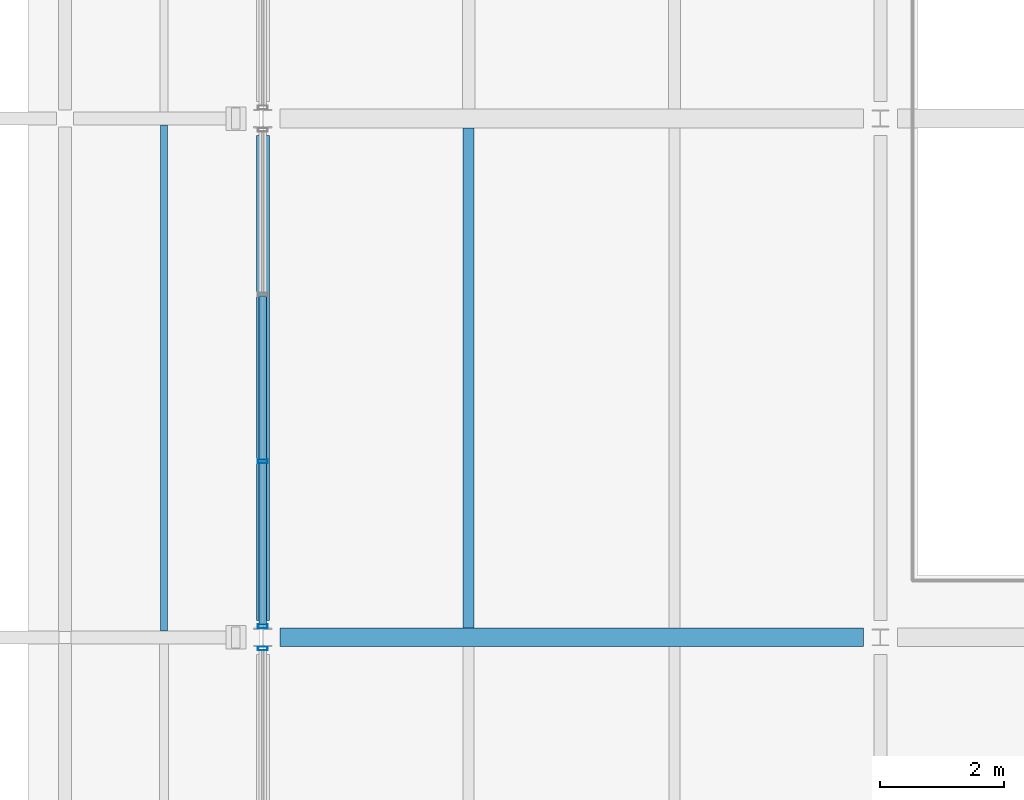
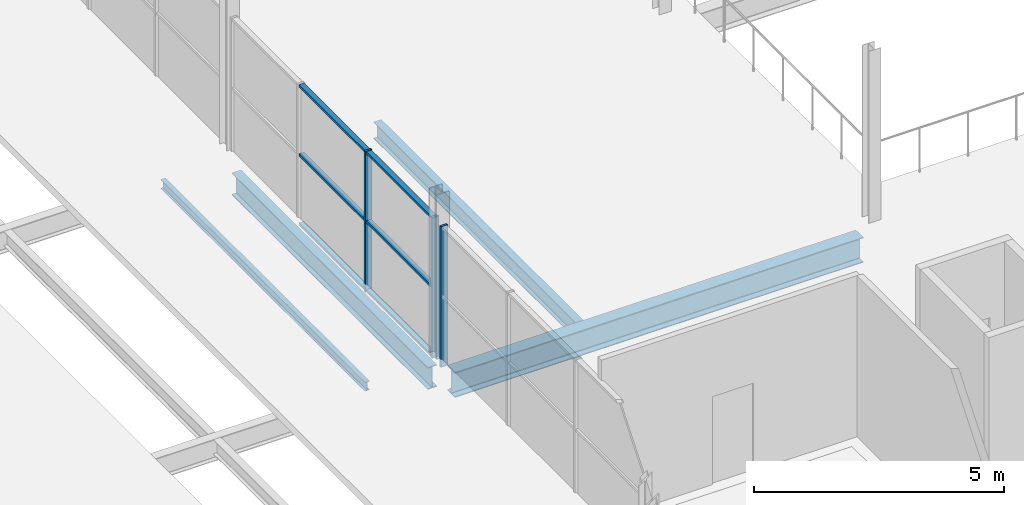
# One storey, part 97 of 161: 9 members, 4 beams, 2 elements without a shape of their own.
"""IFC4 building model written with IfcOpenShell, lengths in metres."""

from ifc_helpers import new_model, si_unit, direction, frame, origin, origin_2d, place, context, subcontext, project, spatial, hollow_rectangle, i_section, extrude, material, material_profile, profile_set, type_object, element, aggregate, save


model = new_model("IFC4")

# Units and contexts
model_context = context("Model", 3, precision=1e-05, world=origin(), true_north=direction((0.0, 1.0)))
body_context = subcontext(model_context, "Body", "Model", "MODEL_VIEW")
ifc_project = project(units=[si_unit("LENGTHUNIT", "METRE"), si_unit("AREAUNIT", "SQUARE_METRE"), si_unit("VOLUMEUNIT", "CUBIC_METRE"), si_unit("PLANEANGLEUNIT", "RADIAN"), si_unit("MASSUNIT", "GRAM", prefix="KILO"), si_unit("THERMODYNAMICTEMPERATUREUNIT", "KELVIN")], contexts=[model_context])

# Site, building, storey
site_placement = place(None, origin())
site = spatial("IfcSite", under=ifc_project, at=site_placement, CompositionType="ELEMENT")
building_placement = place(site_placement, origin())
building = spatial("IfcBuilding", under=site, at=building_placement, Name="Nduvali Passage Aquatics Centre", CompositionType="ELEMENT")
storey_placement = place(building_placement, frame((0.0, 0.0, 4.800048828125)))
storey = spatial("IfcBuildingStorey", under=building, at=storey_placement, Name="L01", CompositionType="ELEMENT", Elevation=4.800048828125)

# Curtain wall, member
ifc_material_1 = material(Name="Aluminium EN AW-6063 T6", Category="aluminium")
curtain_wall_type = type_object("IfcCurtainWallType", Name="ENV-CW-FOYR", PredefinedType="NOTDEFINED", material=ifc_material_1)
curtain_wall_1_placement = place(storey_placement, origin())
curtain_wall_1 = element("IfcCurtainWall", 1, at=curtain_wall_1_placement, inside=storey, type_object=curtain_wall_type, Name="L01 Passage Foyer Upper CW 070", PredefinedType="NOTDEFINED")
ifc_material_profile_1 = material_profile(ifc_material_1, hollow_rectangle(XDim=0.06005859375, YDim=0.159912109375, WallThickness=0.00390625, at=origin_2d()), Name="ALU MULLION 60x160x4")
ifc_profile_set_1 = profile_set([ifc_material_profile_1], Name="Aluminium EN AW-6063 T6")
member_type_1 = type_object("IfcMemberType", Name="ENV-MEM-MUL60", PredefinedType="MULLION", material=ifc_profile_set_1)
member_1_placement = place(storey_placement, frame((138.0, 41.820068359375, 0.0), z_axis=(0.0, 0.0, 1.0), x_axis=(0.0, 1.0, 0.0)))
member_1 = element("IfcMember", 2, at=member_1_placement, type_object=member_type_1, Name="Passage Foyer Upper CW Mullion 4", PredefinedType="MULLION", context=body_context, shape_type="SweptSolid", body=[
    extrude(hollow_rectangle(XDim=0.06005859375, YDim=0.159912109375, WallThickness=0.00390625, at=origin_2d()), origin(), (0.0, 0.0, 1.0), 3.436279296875),
])
aggregate(curtain_wall_1, [member_1])

# Curtain wall, members
curtain_wall_2_placement = place(storey_placement, origin())
curtain_wall_2 = element("IfcCurtainWall", 3, at=curtain_wall_2_placement, inside=storey, type_object=curtain_wall_type, Name="L01 Passage Foyer Upper CW 072", PredefinedType="NOTDEFINED")
member_2_placement = place(storey_placement, frame((138.0, 42.179931640625, 0.0), z_axis=(0.0, 0.0, 1.0), x_axis=(0.0, 1.0, 0.0)))
member_2 = element("IfcMember", 4, at=member_2_placement, type_object=member_type_1, Name="Passage Foyer Upper CW Mullion 1", PredefinedType="MULLION", context=body_context, shape_type="SweptSolid", body=[
    extrude(hollow_rectangle(XDim=0.06005859375, YDim=0.159912109375, WallThickness=0.00390625, at=origin_2d()), origin(), (0.0, 0.0, 1.0), 3.436279296875),
])
member_3_placement = place(storey_placement, frame((138.0, 44.85009765625, 0.0), z_axis=(0.0, 0.0, 1.0), x_axis=(0.0, 1.0, 0.0)))
member_3 = element("IfcMember", 5, at=member_3_placement, type_object=member_type_1, Name="Passage Foyer Upper CW Mullion 2", PredefinedType="MULLION", context=body_context, shape_type="SweptSolid", body=[
    extrude(hollow_rectangle(XDim=0.06005859375, YDim=0.159912109375, WallThickness=0.00390625, at=origin_2d()), origin(), (0.0, 0.0, 1.0), 3.436279296875),
])
ifc_material_profile_2 = material_profile(ifc_material_1, hollow_rectangle(XDim=0.1201171875, YDim=0.06005859375, WallThickness=0.00390625, at=origin_2d()), Name="ALU TRANSOM 120x60x4")
ifc_profile_set_2 = profile_set([ifc_material_profile_2], Name="Aluminium EN AW-6063 T6")
member_type_2 = type_object("IfcMemberType", Name="ENV-MEM-TRN60", PredefinedType="USERDEFINED", material=ifc_profile_set_2)
member_4_placement = place(storey_placement, frame((138.0, 42.2099609375, 0.030029296875), z_axis=(0.0, 1.0, 0.0), x_axis=(-1.0, 0.0, 0.0)))
member_4 = element("IfcMember", 6, at=member_4_placement, type_object=member_type_2, Name="Passage Foyer Upper CW Transom B1-R0", ObjectType="TRANSOM", PredefinedType="USERDEFINED", context=body_context, shape_type="SweptSolid", body=[
    extrude(hollow_rectangle(XDim=0.1201171875, YDim=0.06005859375, WallThickness=0.00390625, at=origin_2d()), origin(), (0.0, 0.0, 1.0), 2.610107421875),
])
member_5_placement = place(storey_placement, frame((138.0, 42.2099609375, 1.71826171875), z_axis=(0.0, 1.0, 0.0), x_axis=(-1.0, 0.0, 0.0)))
member_5 = element("IfcMember", 7, at=member_5_placement, type_object=member_type_2, Name="Passage Foyer Upper CW Transom B1-R1", ObjectType="TRANSOM", PredefinedType="USERDEFINED", context=body_context, shape_type="SweptSolid", body=[
    extrude(hollow_rectangle(XDim=0.1201171875, YDim=0.06005859375, WallThickness=0.00390625, at=origin_2d()), origin(), (0.0, 0.0, 1.0), 2.610107421875),
])
member_6_placement = place(storey_placement, frame((138.0, 42.2099609375, 3.40625), z_axis=(0.0, 1.0, 0.0), x_axis=(-1.0, 0.0, 0.0)))
member_6 = element("IfcMember", 8, at=member_6_placement, type_object=member_type_2, Name="Passage Foyer Upper CW Transom B1-R2", ObjectType="TRANSOM", PredefinedType="USERDEFINED", context=body_context, shape_type="SweptSolid", body=[
    extrude(hollow_rectangle(XDim=0.1201171875, YDim=0.06005859375, WallThickness=0.00390625, at=origin_2d()), origin(), (0.0, 0.0, 1.0), 2.610107421875),
])
member_7_placement = place(storey_placement, frame((138.0, 44.8798828125, 0.030029296875), z_axis=(0.0, 1.0, 0.0), x_axis=(-1.0, 0.0, 0.0)))
member_7 = element("IfcMember", 9, at=member_7_placement, type_object=member_type_2, Name="Passage Foyer Upper CW Transom B2-R0", ObjectType="TRANSOM", PredefinedType="USERDEFINED", context=body_context, shape_type="SweptSolid", body=[
    extrude(hollow_rectangle(XDim=0.1201171875, YDim=0.06005859375, WallThickness=0.00390625, at=origin_2d()), origin(), (0.0, 0.0, 1.0), 2.64013671875),
])
member_8_placement = place(storey_placement, frame((138.0, 44.8798828125, 1.71826171875), z_axis=(0.0, 1.0, 0.0), x_axis=(-1.0, 0.0, 0.0)))
member_8 = element("IfcMember", 10, at=member_8_placement, type_object=member_type_2, Name="Passage Foyer Upper CW Transom B2-R1", ObjectType="TRANSOM", PredefinedType="USERDEFINED", context=body_context, shape_type="SweptSolid", body=[
    extrude(hollow_rectangle(XDim=0.1201171875, YDim=0.06005859375, WallThickness=0.00390625, at=origin_2d()), origin(), (0.0, 0.0, 1.0), 2.64013671875),
])
member_9_placement = place(storey_placement, frame((138.0, 44.8798828125, 3.40625), z_axis=(0.0, 1.0, 0.0), x_axis=(-1.0, 0.0, 0.0)))
member_9 = element("IfcMember", 11, at=member_9_placement, type_object=member_type_2, Name="Passage Foyer Upper CW Transom B2-R2", ObjectType="TRANSOM", PredefinedType="USERDEFINED", context=body_context, shape_type="SweptSolid", body=[
    extrude(hollow_rectangle(XDim=0.1201171875, YDim=0.06005859375, WallThickness=0.00390625, at=origin_2d()), origin(), (0.0, 0.0, 1.0), 2.64013671875),
])
aggregate(curtain_wall_2, [member_2, member_3, member_4, member_5, member_6, member_7, member_8, member_9])

# Beams
ifc_material_2 = material(Name="Steel S355", Category="steel")
ifc_material_profile_3 = material_profile(ifc_material_2, i_section(OverallWidth=0.210693359375, OverallDepth=0.53955078125, WebThickness=0.01171875, FlangeThickness=0.018798828125, FilletRadius=0.0126953125, at=origin_2d()), Name="UKB 533x210x109")
ifc_profile_set_3 = profile_set([ifc_material_profile_3], Name="Steel S355")
beam_type_1 = type_object("IfcBeamType", Name="STR-BM-UKB533-EXT", PredefinedType="BEAM", material=ifc_profile_set_3)
beam_1_placement = place(storey_placement, frame((138.0, 42.27490234375, -0.553955078125), z_axis=(0.0, 1.0, 0.0), x_axis=(-1.0, 0.0, 0.0)))
element("IfcBeam", 12, at=beam_1_placement, inside=storey, type_object=beam_type_1, Name="L01 Primary Y-Girder B6E-0660", PredefinedType="BEAM", context=body_context, shape_type="SweptSolid", body=[
    extrude(i_section(OverallWidth=0.210693359375, OverallDepth=0.53955078125, WebThickness=0.01171875, FlangeThickness=0.018798828125, FilletRadius=0.0126953125, at=origin_2d()), origin(), (0.0, 0.0, 1.0), 7.85009765625),
])
ifc_material_profile_4 = material_profile(ifc_material_2, i_section(OverallWidth=0.3046875, OverallDepth=0.6123046875, WebThickness=0.01171875, FlangeThickness=0.019775390625, FilletRadius=0.0166015625, at=origin_2d()), Name="UKB 610x305x149")
ifc_profile_set_4 = profile_set([ifc_material_profile_4], Name="Steel S355")
beam_type_2 = type_object("IfcBeamType", Name="STR-BM-UKB610W", PredefinedType="BEAM", material=ifc_profile_set_4)
beam_2_placement = place(storey_placement, frame((138.27490234375, 42.0, -0.59033203125), z_axis=(1.0, 0.0, 0.0), x_axis=(0.0, 1.0, 0.0)))
element("IfcBeam", 13, at=beam_2_placement, inside=storey, type_object=beam_type_2, Name="L01 Primary X-Girder B5A-0478", PredefinedType="BEAM", context=body_context, shape_type="SweptSolid", body=[
    extrude(i_section(OverallWidth=0.3046875, OverallDepth=0.6123046875, WebThickness=0.01171875, FlangeThickness=0.019775390625, FilletRadius=0.0166015625, at=origin_2d()), origin(), (0.0, 0.0, 1.0), 9.4501953125),
])
ifc_material_profile_5 = material_profile(ifc_material_2, i_section(OverallWidth=0.110107421875, OverallDepth=0.219970703125, WebThickness=0.005859375, FlangeThickness=0.00927734375, FilletRadius=0.011962890625, at=origin_2d()), Name="IPE 220")
ifc_profile_set_5 = profile_set([ifc_material_profile_5], Name="Steel S355")
beam_type_3 = type_object("IfcBeamType", Name="STR-JST-IPE220", PredefinedType="JOIST", material=ifc_profile_set_5)
beam_3_placement = place(storey_placement, frame((136.39990234375, 42.10546875, -0.114013671875), z_axis=(0.0, 1.0, 0.0), x_axis=(-1.0, 0.0, 0.0)))
element("IfcBeam", 14, at=beam_3_placement, inside=storey, type_object=beam_type_3, Name="L01 Secondary Joist J9-0760", PredefinedType="JOIST", context=body_context, shape_type="SweptSolid", body=[
    extrude(i_section(OverallWidth=0.110107421875, OverallDepth=0.219970703125, WebThickness=0.005859375, FlangeThickness=0.00927734375, FilletRadius=0.011962890625, at=origin_2d()), origin(), (0.0, 0.0, 1.0), 8.189208984375),
])
ifc_material_profile_6 = material_profile(ifc_material_2, i_section(OverallWidth=0.1787109375, OverallDepth=0.409423828125, WebThickness=0.0087890625, FlangeThickness=0.014404296875, FilletRadius=0.01025390625, at=origin_2d()), Name="UKB 406x178x67")
ifc_profile_set_6 = profile_set([ifc_material_profile_6], Name="Steel S355")
beam_type_4 = type_object("IfcBeamType", Name="STR-JST-UKB406", PredefinedType="JOIST", material=ifc_profile_set_6)
beam_4_placement = place(storey_placement, frame((141.333251953125, 42.15234375, -0.48876953125), z_axis=(0.0, 1.0, 0.0), x_axis=(-1.0, 0.0, 0.0)))
element("IfcBeam", 15, at=beam_4_placement, inside=storey, type_object=beam_type_4, Name="L01 Secondary Joist J1-0761", PredefinedType="JOIST", context=body_context, shape_type="SweptSolid", body=[
    extrude(i_section(OverallWidth=0.1787109375, OverallDepth=0.409423828125, WebThickness=0.0087890625, FlangeThickness=0.014404296875, FilletRadius=0.01025390625, at=origin_2d()), origin(), (0.0, 0.0, 1.0), 8.09521484375),
])

save(model, "model.ifc")
